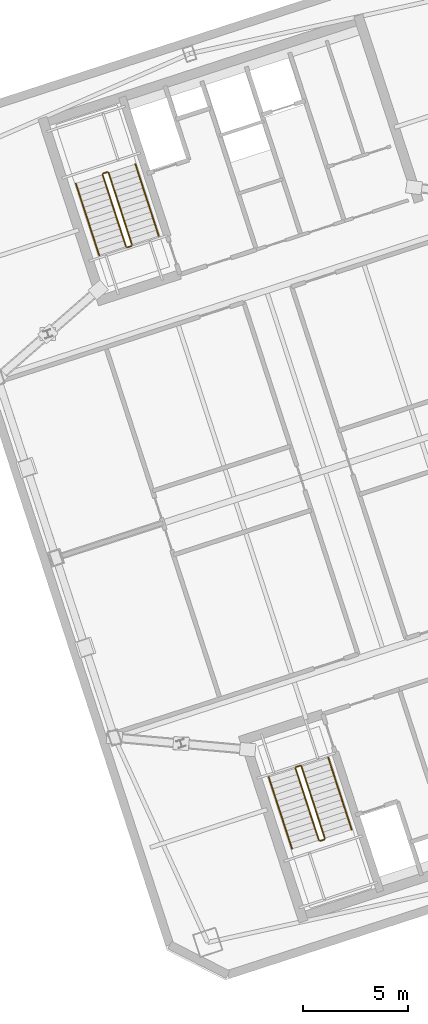
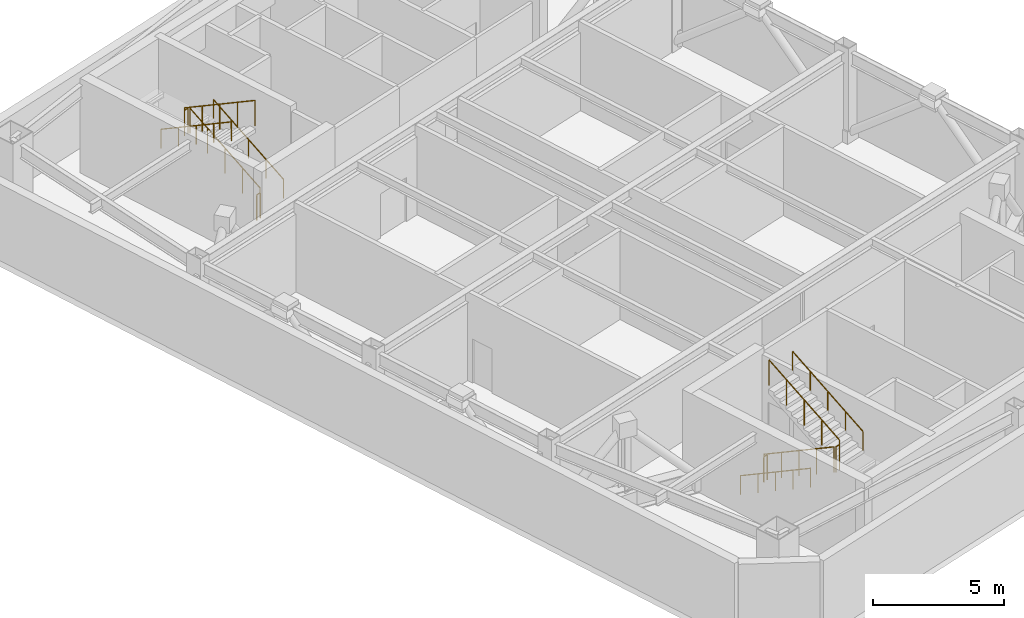
# One storey, part 17 of 17: 12 railings.
"""IFC4 building model written with IfcOpenShell, lengths in metres."""

from ifc_helpers import new_model, si_unit, direction, frame, origin, origin_2d, place, context, subcontext, project, spatial, circle, extrude, material, type_object, element, save


model = new_model("IFC4")

# Units and contexts
model_context = context("Model", 3, precision=1e-05, world=origin(), true_north=direction((0.0, 1.0)))
body_context = subcontext(model_context, "Body", "Model", "MODEL_VIEW")
ifc_project = project(units=[si_unit("LENGTHUNIT", "METRE"), si_unit("AREAUNIT", "SQUARE_METRE"), si_unit("VOLUMEUNIT", "CUBIC_METRE"), si_unit("PLANEANGLEUNIT", "RADIAN"), si_unit("MASSUNIT", "GRAM", prefix="KILO")], contexts=[model_context])

# Site, building, storey
site_placement = place(None, origin())
site = spatial("IfcSite", under=ifc_project, at=site_placement, CompositionType="ELEMENT")
building_placement = place(site_placement, origin())
building = spatial("IfcBuilding", under=site, at=building_placement, Name="Qiaolan Cultural Towers", CompositionType="ELEMENT")
storey_placement = place(building_placement, frame((0.0, 0.0, 230.0)))
storey = spatial("IfcBuildingStorey", under=building, at=storey_placement, Name="L62", CompositionType="ELEMENT", Elevation=230.0)

# Railings
ifc_material_1 = material(Name="Galvanized Painted Steel Stair Guardrail", Category="steel")
railing_type_1 = type_object("IfcRailingType", Name="RL-STAIR-GRD", PredefinedType="GUARDRAIL", material=ifc_material_1)
railing_1_placement = place(storey_placement, frame((88.60205078125, 19.82421875, 0.169189453125)))
element("IfcRailing", 1, at=railing_1_placement, inside=storey, type_object=railing_type_1, Name="L62 ST-E1 stair guard 1", PredefinedType="GUARDRAIL", context=body_context, shape_type="SweptSolid", body=[
    extrude(circle(Radius=0.02392578125, at=origin_2d()), frame((0.0, 0.0, 1.17578125), z_axis=(0.269165727255, -0.828347632001, 0.491314575227), x_axis=(0.951050015124, 0.309037002205, 0.0)), (0.0, 0.0, 1.0), 4.13330078125),
    extrude(circle(Radius=0.02099609375, at=origin_2d()), origin(), (0.0, 0.0, 1.0), 1.15185546875),
    extrude(circle(Radius=0.02099609375, at=origin_2d()), frame((0.278076171875, -0.85595703125, 0.5078125)), (0.0, 0.0, 1.0), 1.15185546875),
    extrude(circle(Radius=0.02099609375, at=origin_2d()), frame((0.55615234375, -1.7119140625, 1.015380859375)), (0.0, 0.0, 1.0), 1.15185546875),
    extrude(circle(Radius=0.02099609375, at=origin_2d()), frame((0.83447265625, -2.56787109375, 1.52294921875)), (0.0, 0.0, 1.0), 1.15185546875),
    extrude(circle(Radius=0.02099609375, at=origin_2d()), frame((1.112548828125, -3.423828125, 2.03076171875)), (0.0, 0.0, 1.0), 1.15185546875),
])
railing_2_placement = place(storey_placement, frame((89.777587890625, 16.368408203125, 2.199951171875)))
element("IfcRailing", 2, at=railing_2_placement, inside=storey, type_object=railing_type_1, Name="L62 ST-E1 stair guard 2", PredefinedType="GUARDRAIL", context=body_context, shape_type="SweptSolid", body=[
    extrude(circle(Radius=0.02392578125, at=origin_2d()), frame((0.0, 0.0, 1.17578125), z_axis=(0.951096855055, 0.308892816854, 0.0), x_axis=(-0.308892816854, 0.951096855055, 0.0)), (0.0, 0.0, 1.0), 0.199951171875),
    extrude(circle(Radius=0.02099609375, at=origin_2d()), origin(), (0.0, 0.0, 1.0), 1.15185546875),
    extrude(circle(Radius=0.02099609375, at=origin_2d()), frame((0.190185546875, 0.061767578125, 0.0)), (0.0, 0.0, 1.0), 1.15185546875),
])
railing_3_placement = place(storey_placement, frame((90.0, 16.4931640625, 2.369140625)))
element("IfcRailing", 3, at=railing_3_placement, inside=storey, type_object=railing_type_1, Name="L62 ST-E1 stair guard 3", PredefinedType="GUARDRAIL", context=body_context, shape_type="SweptSolid", body=[
    extrude(circle(Radius=0.02392578125, at=origin_2d()), frame((0.0, 0.0, 1.17578125), z_axis=(-0.269165727255, 0.828347632001, 0.491314575227), x_axis=(-0.951050015124, -0.309037002205, 0.0)), (0.0, 0.0, 1.0), 4.13330078125),
    extrude(circle(Radius=0.02099609375, at=origin_2d()), origin(), (0.0, 0.0, 1.0), 1.15185546875),
    extrude(circle(Radius=0.02099609375, at=origin_2d()), frame((-0.278076171875, 0.85595703125, 0.5078125)), (0.0, 0.0, 1.0), 1.15185546875),
    extrude(circle(Radius=0.02099609375, at=origin_2d()), frame((-0.55615234375, 1.7119140625, 1.015380859375)), (0.0, 0.0, 1.0), 1.15185546875),
    extrude(circle(Radius=0.02099609375, at=origin_2d()), frame((-0.83447265625, 2.56787109375, 1.52294921875)), (0.0, 0.0, 1.0), 1.15185546875),
    extrude(circle(Radius=0.02099609375, at=origin_2d()), frame((-1.112548828125, 3.423828125, 2.03076171875)), (0.0, 0.0, 1.0), 1.15185546875),
])
railing_4_placement = place(storey_placement, frame((88.63427734375, 19.88720703125, 0.0)))
element("IfcRailing", 4, at=railing_4_placement, inside=storey, type_object=railing_type_1, Name="L62 ST-E1 stair guard 4", PredefinedType="GUARDRAIL", context=body_context, shape_type="SweptSolid", body=[
    extrude(circle(Radius=0.02392578125, at=origin_2d()), frame((0.0, 0.0, 1.17578125), z_axis=(0.951096855055, 0.308892816854, 0.0), x_axis=(-0.308892816854, 0.951096855055, 0.0)), (0.0, 0.0, 1.0), 0.199951171875),
    extrude(circle(Radius=0.02099609375, at=origin_2d()), origin(), (0.0, 0.0, 1.0), 1.15185546875),
    extrude(circle(Radius=0.02099609375, at=origin_2d()), frame((0.190185546875, 0.061767578125, 0.0)), (0.0, 0.0, 1.0), 1.15185546875),
])
railing_5_placement = place(storey_placement, frame((80.822021484375, 44.739501953125, 0.169189453125)))
element("IfcRailing", 5, at=railing_5_placement, inside=storey, type_object=railing_type_1, Name="L62 ST-E2 stair guard 1", PredefinedType="GUARDRAIL", context=body_context, shape_type="SweptSolid", body=[
    extrude(circle(Radius=0.02392578125, at=origin_2d()), frame((0.0, 0.0, 1.17578125), z_axis=(-0.269110938892, 0.828360800486, 0.491322385799), x_axis=(-0.951069945308, -0.308975661068, 0.0)), (0.0, 0.0, 1.0), 4.13330078125),
    extrude(circle(Radius=0.02099609375, at=origin_2d()), origin(), (0.0, 0.0, 1.0), 1.15185546875),
    extrude(circle(Radius=0.02099609375, at=origin_2d()), frame((-0.278076171875, 0.85595703125, 0.5078125)), (0.0, 0.0, 1.0), 1.15185546875),
    extrude(circle(Radius=0.02099609375, at=origin_2d()), frame((-0.55615234375, 1.7119140625, 1.015380859375)), (0.0, 0.0, 1.0), 1.15185546875),
    extrude(circle(Radius=0.02099609375, at=origin_2d()), frame((-0.834228515625, 2.56787109375, 1.52294921875)), (0.0, 0.0, 1.0), 1.15185546875),
    extrude(circle(Radius=0.02099609375, at=origin_2d()), frame((-1.1123046875, 3.423828125, 2.03076171875)), (0.0, 0.0, 1.0), 1.15185546875),
])
railing_6_placement = place(storey_placement, frame((79.646728515625, 48.1953125, 2.199951171875)))
element("IfcRailing", 6, at=railing_6_placement, inside=storey, type_object=railing_type_1, Name="L62 ST-E2 stair guard 2", PredefinedType="GUARDRAIL", context=body_context, shape_type="SweptSolid", body=[
    extrude(circle(Radius=0.02392578125, at=origin_2d()), frame((0.0, 0.0, 1.17578125), z_axis=(-0.951096855055, -0.308892816854, 0.0), x_axis=(0.308892816854, -0.951096855055, 0.0)), (0.0, 0.0, 1.0), 0.199951171875),
    extrude(circle(Radius=0.02099609375, at=origin_2d()), origin(), (0.0, 0.0, 1.0), 1.15185546875),
    extrude(circle(Radius=0.02099609375, at=origin_2d()), frame((-0.190185546875, -0.061767578125, 0.0)), (0.0, 0.0, 1.0), 1.15185546875),
])
railing_7_placement = place(storey_placement, frame((79.42431640625, 48.070556640625, 2.369140625)))
element("IfcRailing", 7, at=railing_7_placement, inside=storey, type_object=railing_type_1, Name="L62 ST-E2 stair guard 3", PredefinedType="GUARDRAIL", context=body_context, shape_type="SweptSolid", body=[
    extrude(circle(Radius=0.02392578125, at=origin_2d()), frame((0.0, 0.0, 1.17578125), z_axis=(0.269165727255, -0.828347632001, 0.491314575227), x_axis=(0.951050015124, 0.309037002205, 0.0)), (0.0, 0.0, 1.0), 4.13330078125),
    extrude(circle(Radius=0.02099609375, at=origin_2d()), origin(), (0.0, 0.0, 1.0), 1.15185546875),
    extrude(circle(Radius=0.02099609375, at=origin_2d()), frame((0.278076171875, -0.85595703125, 0.5078125)), (0.0, 0.0, 1.0), 1.15185546875),
    extrude(circle(Radius=0.02099609375, at=origin_2d()), frame((0.55615234375, -1.7119140625, 1.015380859375)), (0.0, 0.0, 1.0), 1.15185546875),
    extrude(circle(Radius=0.02099609375, at=origin_2d()), frame((0.83447265625, -2.56787109375, 1.52294921875)), (0.0, 0.0, 1.0), 1.15185546875),
    extrude(circle(Radius=0.02099609375, at=origin_2d()), frame((1.112548828125, -3.423828125, 2.03076171875)), (0.0, 0.0, 1.0), 1.15185546875),
])
railing_8_placement = place(storey_placement, frame((80.7900390625, 44.676513671875, 0.0)))
element("IfcRailing", 8, at=railing_8_placement, inside=storey, type_object=railing_type_1, Name="L62 ST-E2 stair guard 4", PredefinedType="GUARDRAIL", context=body_context, shape_type="SweptSolid", body=[
    extrude(circle(Radius=0.02392578125, at=origin_2d()), frame((0.0, 0.0, 1.17578125), z_axis=(-0.951096855055, -0.308892816854, 0.0), x_axis=(0.308892816854, -0.951096855055, 0.0)), (0.0, 0.0, 1.0), 0.199951171875),
    extrude(circle(Radius=0.02099609375, at=origin_2d()), origin(), (0.0, 0.0, 1.0), 1.15185546875),
    extrude(circle(Radius=0.02099609375, at=origin_2d()), frame((-0.190185546875, -0.061767578125, 0.0)), (0.0, 0.0, 1.0), 1.15185546875),
])
ifc_material_2 = material(Name="Stainless Steel S30408 Tubular Handrail", Category="steel")
railing_type_2 = type_object("IfcRailingType", Name="RL-STAIR-HR", PredefinedType="HANDRAIL", material=ifc_material_2)
railing_9_placement = place(storey_placement, frame((87.32763671875, 19.41015625, 0.169189453125)))
element("IfcRailing", 9, at=railing_9_placement, inside=storey, type_object=railing_type_2, Name="L62 ST-E1 stair handrail 1", PredefinedType="HANDRAIL", context=body_context, shape_type="SweptSolid", body=[
    extrude(circle(Radius=0.02392578125, at=origin_2d()), frame((0.0, 0.0, 0.8759765625), z_axis=(0.269165727255, -0.828347632001, 0.491314575227), x_axis=(0.951050015124, 0.309037002205, 0.0)), (0.0, 0.0, 1.0), 4.13330078125),
    extrude(circle(Radius=0.02099609375, at=origin_2d()), origin(), (0.0, 0.0, 1.0), 0.851806640625),
    extrude(circle(Radius=0.02099609375, at=origin_2d()), frame((0.278076171875, -0.85595703125, 0.5078125)), (0.0, 0.0, 1.0), 0.851806640625),
    extrude(circle(Radius=0.02099609375, at=origin_2d()), frame((0.55615234375, -1.7119140625, 1.015380859375)), (0.0, 0.0, 1.0), 0.851806640625),
    extrude(circle(Radius=0.02099609375, at=origin_2d()), frame((0.83447265625, -2.56787109375, 1.52294921875)), (0.0, 0.0, 1.0), 0.851806640625),
    extrude(circle(Radius=0.02099609375, at=origin_2d()), frame((1.112548828125, -3.423828125, 2.03076171875)), (0.0, 0.0, 1.0), 0.851806640625),
])
railing_10_placement = place(storey_placement, frame((91.2744140625, 16.9072265625, 2.369140625)))
element("IfcRailing", 10, at=railing_10_placement, inside=storey, type_object=railing_type_2, Name="L62 ST-E1 stair handrail 2", PredefinedType="HANDRAIL", context=body_context, shape_type="SweptSolid", body=[
    extrude(circle(Radius=0.02392578125, at=origin_2d()), frame((0.0, 0.0, 0.8759765625), z_axis=(-0.269165727255, 0.828347632001, 0.491314575227), x_axis=(-0.951050015124, -0.309037002205, 0.0)), (0.0, 0.0, 1.0), 4.13330078125),
    extrude(circle(Radius=0.02099609375, at=origin_2d()), origin(), (0.0, 0.0, 1.0), 0.851806640625),
    extrude(circle(Radius=0.02099609375, at=origin_2d()), frame((-0.278076171875, 0.85595703125, 0.5078125)), (0.0, 0.0, 1.0), 0.851806640625),
    extrude(circle(Radius=0.02099609375, at=origin_2d()), frame((-0.55615234375, 1.7119140625, 1.015380859375)), (0.0, 0.0, 1.0), 0.851806640625),
    extrude(circle(Radius=0.02099609375, at=origin_2d()), frame((-0.83447265625, 2.56787109375, 1.52294921875)), (0.0, 0.0, 1.0), 0.851806640625),
    extrude(circle(Radius=0.02099609375, at=origin_2d()), frame((-1.112548828125, 3.423828125, 2.03076171875)), (0.0, 0.0, 1.0), 0.851806640625),
])
railing_11_placement = place(storey_placement, frame((82.096435546875, 45.153564453125, 0.169189453125)))
element("IfcRailing", 11, at=railing_11_placement, inside=storey, type_object=railing_type_2, Name="L62 ST-E2 stair handrail 1", PredefinedType="HANDRAIL", context=body_context, shape_type="SweptSolid", body=[
    extrude(circle(Radius=0.02392578125, at=origin_2d()), frame((0.0, 0.0, 0.8759765625), z_axis=(-0.269110938892, 0.828360800486, 0.491322385799), x_axis=(-0.951069945308, -0.308975661068, 0.0)), (0.0, 0.0, 1.0), 4.13330078125),
    extrude(circle(Radius=0.02099609375, at=origin_2d()), origin(), (0.0, 0.0, 1.0), 0.851806640625),
    extrude(circle(Radius=0.02099609375, at=origin_2d()), frame((-0.278076171875, 0.85595703125, 0.5078125)), (0.0, 0.0, 1.0), 0.851806640625),
    extrude(circle(Radius=0.02099609375, at=origin_2d()), frame((-0.55615234375, 1.7119140625, 1.015380859375)), (0.0, 0.0, 1.0), 0.851806640625),
    extrude(circle(Radius=0.02099609375, at=origin_2d()), frame((-0.834228515625, 2.56787109375, 1.52294921875)), (0.0, 0.0, 1.0), 0.851806640625),
    extrude(circle(Radius=0.02099609375, at=origin_2d()), frame((-1.1123046875, 3.423828125, 2.03076171875)), (0.0, 0.0, 1.0), 0.851806640625),
])
railing_12_placement = place(storey_placement, frame((78.14990234375, 47.656494140625, 2.369140625)))
element("IfcRailing", 12, at=railing_12_placement, inside=storey, type_object=railing_type_2, Name="L62 ST-E2 stair handrail 2", PredefinedType="HANDRAIL", context=body_context, shape_type="SweptSolid", body=[
    extrude(circle(Radius=0.02392578125, at=origin_2d()), frame((0.0, 0.0, 0.8759765625), z_axis=(0.269165727255, -0.828347632001, 0.491314575227), x_axis=(0.951050015124, 0.309037002205, 0.0)), (0.0, 0.0, 1.0), 4.13330078125),
    extrude(circle(Radius=0.02099609375, at=origin_2d()), origin(), (0.0, 0.0, 1.0), 0.851806640625),
    extrude(circle(Radius=0.02099609375, at=origin_2d()), frame((0.278076171875, -0.85595703125, 0.5078125)), (0.0, 0.0, 1.0), 0.851806640625),
    extrude(circle(Radius=0.02099609375, at=origin_2d()), frame((0.55615234375, -1.7119140625, 1.015380859375)), (0.0, 0.0, 1.0), 0.851806640625),
    extrude(circle(Radius=0.02099609375, at=origin_2d()), frame((0.83447265625, -2.56787109375, 1.52294921875)), (0.0, 0.0, 1.0), 0.851806640625),
    extrude(circle(Radius=0.02099609375, at=origin_2d()), frame((1.112548828125, -3.423828125, 2.03076171875)), (0.0, 0.0, 1.0), 0.851806640625),
])

save(model, "model.ifc")
